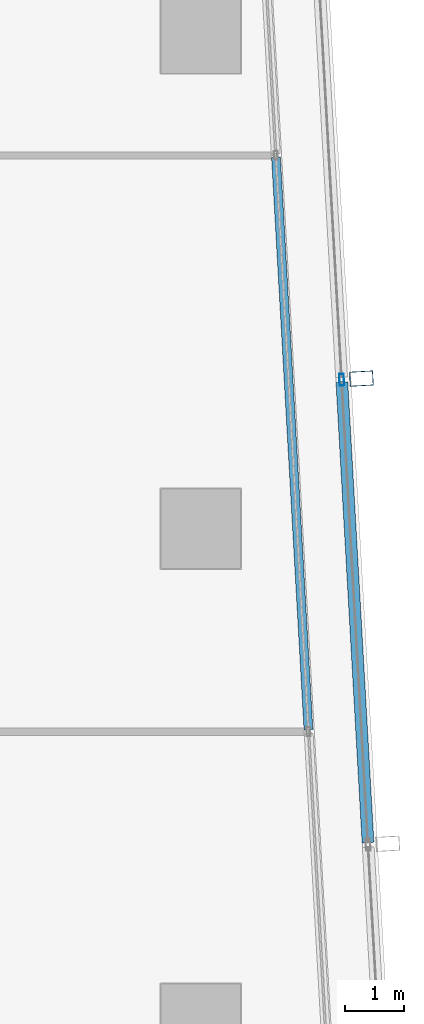
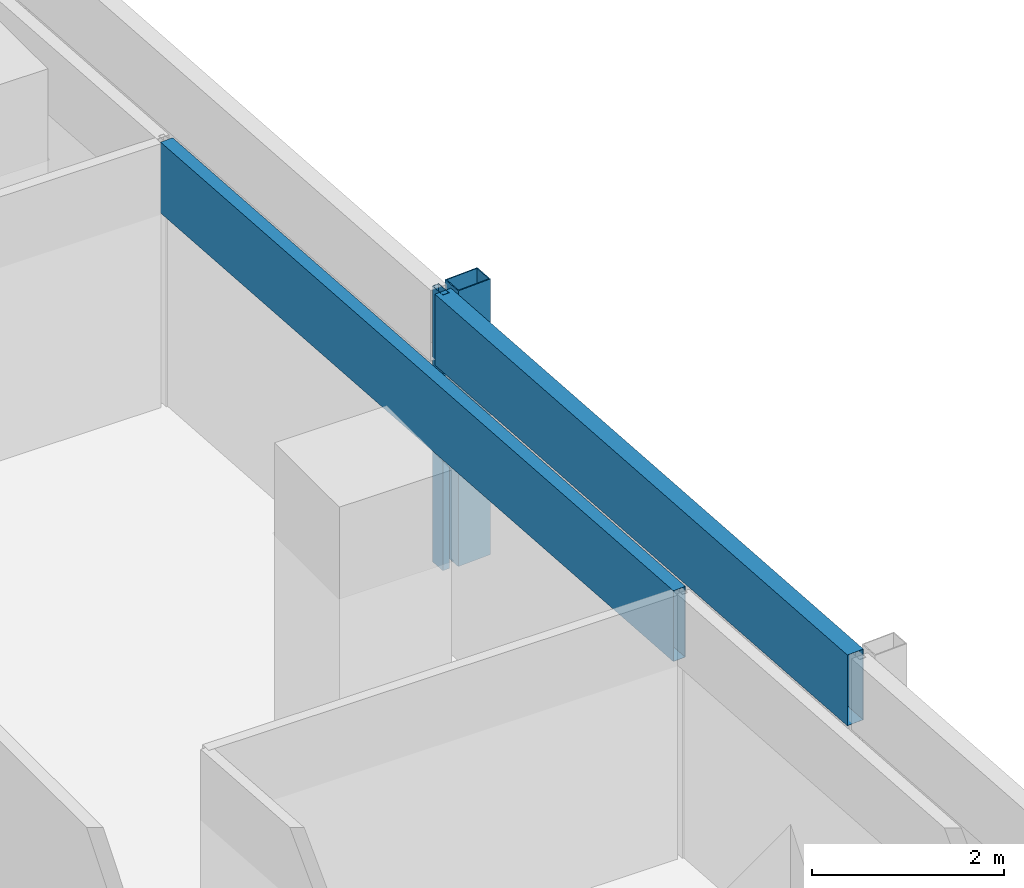
# One storey, part 15 of 40: 4 members, 2 elements without a shape of their own.
"""IFC4 building model written with IfcOpenShell, lengths in metres."""

from ifc_helpers import new_model, si_unit, direction, frame, origin, origin_2d, place, context, subcontext, project, spatial, hollow_rectangle, extrude, material, material_profile, profile_set, type_object, element, aggregate, save


model = new_model("IFC4")

# Units and contexts
model_context = context("Model", 3, precision=1e-05, world=origin(), true_north=direction((0.0, 1.0)))
body_context = subcontext(model_context, "Body", "Model", "MODEL_VIEW")
ifc_project = project(units=[si_unit("LENGTHUNIT", "METRE"), si_unit("AREAUNIT", "SQUARE_METRE"), si_unit("VOLUMEUNIT", "CUBIC_METRE"), si_unit("PLANEANGLEUNIT", "RADIAN"), si_unit("MASSUNIT", "GRAM", prefix="KILO")], contexts=[model_context])

# Site, building, storey
site_placement = place(None, origin())
site = spatial("IfcSite", under=ifc_project, at=site_placement, CompositionType="ELEMENT")
building_placement = place(site_placement, origin())
building = spatial("IfcBuilding", under=site, at=building_placement, Name="Rekha Terrace Tower", CompositionType="ELEMENT")
storey_placement = place(building_placement, frame((0.0, 0.0, 213.949951171875)))
storey = spatial("IfcBuildingStorey", under=building, at=storey_placement, Name="L54", CompositionType="ELEMENT", Elevation=213.949951171875)

# Curtain wall, member
ifc_material_1 = material(Name="Aluminium framing", Category="aluminium")
curtain_wall_type_1 = type_object("IfcCurtainWallType", Name="CW2 double skin outer glazing", PredefinedType="USERDEFINED", material=ifc_material_1)
curtain_wall_1_placement = place(storey_placement, origin())
curtain_wall_1 = element("IfcCurtainWall", 1, at=curtain_wall_1_placement, inside=storey, type_object=curtain_wall_type_1, Name="CW2 double skin outer glazing", ObjectType="DOUBLE SKIN OUTER GLAZING", PredefinedType="USERDEFINED")
ifc_material_2 = material(Name="Steel S355 with fluorocarbon finish", Category="steel")
ifc_material_profile_1 = material_profile(ifc_material_2, hollow_rectangle(XDim=0.25, YDim=0.39990234375, WallThickness=0.012451171875, at=origin_2d()), Name="RHS400x250x12.5")
ifc_profile_set_1 = profile_set([ifc_material_profile_1], Name="Steel S355 with fluorocarbon finish")
member_type_1 = type_object("IfcMemberType", Name="BL1 facade blade RHS 400 x 250", PredefinedType="USERDEFINED", material=ifc_profile_set_1)
member_1_placement = place(storey_placement, frame((61.528076171875, 44.546630859375, 0.0), z_axis=(0.0, 0.0, 1.0), x_axis=(-0.056673619809, 0.998392758797, 0.0)))
member_1 = element("IfcMember", 2, at=member_1_placement, type_object=member_type_1, Name="Facade blade", ObjectType="FACADE BLADE", PredefinedType="USERDEFINED", context=body_context, shape_type="SweptSolid", body=[
    extrude(hollow_rectangle(XDim=0.25, YDim=0.39990234375, WallThickness=0.012451171875, at=origin_2d()), origin(), (0.0, 0.0, 1.0), 3.5),
])

curtain_wall_type_2 = type_object("IfcCurtainWallType", Name="CW1 double skin inner glazing", PredefinedType="USERDEFINED", material=ifc_material_1)
curtain_wall_2_placement = place(storey_placement, origin())
curtain_wall_2 = element("IfcCurtainWall", 3, at=curtain_wall_2_placement, inside=storey, type_object=curtain_wall_type_2, Name="CW1 double skin inner glazing", ObjectType="DOUBLE SKIN INNER GLAZING", PredefinedType="USERDEFINED")
ifc_material_3 = material(Name="Insulated aluminium spandrel box", Category="aluminium")
ifc_material_profile_2 = material_profile(ifc_material_3, hollow_rectangle(XDim=0.14990234375, YDim=0.89990234375, WallThickness=0.0029296875, at=origin_2d()), Name="AL SPANDREL BOX 150x900")
ifc_profile_set_2 = profile_set([ifc_material_profile_2], Name="Insulated aluminium spandrel box")
member_type_2 = type_object("IfcMemberType", Name="CW1 spandrel transom 150 x 900", PredefinedType="USERDEFINED", material=ifc_profile_set_2)
member_2_placement = place(storey_placement, frame((60.629150390625, 38.588134765625, 3.050048828125), z_axis=(-0.056650211304, 0.998394087302, 0.0), x_axis=(-0.998394087302, -0.056650211304, 0.0)))
member_2 = element("IfcMember", 4, at=member_2_placement, type_object=member_type_2, Name="CW1 spandrel transom 2", ObjectType="TRANSOM", PredefinedType="USERDEFINED", context=body_context, shape_type="SweptSolid", body=[
    extrude(hollow_rectangle(XDim=0.14990234375, YDim=0.89990234375, WallThickness=0.0029296875, at=origin_2d()), origin(), (0.0, 0.0, 1.0), 9.726806640625),
])
aggregate(curtain_wall_2, [member_2])

# Member
ifc_material_4 = material(Name="Aluminium mullion section", Category="aluminium")
ifc_material_profile_3 = material_profile(ifc_material_4, hollow_rectangle(XDim=0.080078125, YDim=0.199951171875, WallThickness=0.00390625, at=origin_2d()), Name="AL RHS 80x200")
ifc_profile_set_3 = profile_set([ifc_material_profile_3], Name="Aluminium mullion section")
member_type_3 = type_object("IfcMemberType", Name="CW2 mullion RHS 80 x 200", PredefinedType="MULLION", material=ifc_profile_set_3)
member_3_placement = place(storey_placement, frame((61.193603515625, 44.527587890625, 0.0), z_axis=(0.0, 0.0, 1.0), x_axis=(-0.998392782919, -0.05667319486, 0.0)))
member_3 = element("IfcMember", 5, at=member_3_placement, type_object=member_type_3, Name="CW2 mullion 3", PredefinedType="MULLION", context=body_context, shape_type="SweptSolid", body=[
    extrude(hollow_rectangle(XDim=0.080078125, YDim=0.199951171875, WallThickness=0.00390625, at=origin_2d()), origin(), (0.0, 0.0, 1.0), 3.5),
])

ifc_material_profile_4 = material_profile(ifc_material_3, hollow_rectangle(XDim=0.199951171875, YDim=0.89990234375, WallThickness=0.0029296875, at=origin_2d()), Name="AL SPANDREL BOX 200x900")
ifc_profile_set_4 = profile_set([ifc_material_profile_4], Name="Insulated aluminium spandrel box")
member_type_4 = type_object("IfcMemberType", Name="CW2 spandrel transom 200 x 900", PredefinedType="USERDEFINED", material=ifc_profile_set_4)
member_4_placement = place(storey_placement, frame((61.63916015625, 36.6767578125, 3.050048828125), z_axis=(-0.056669428082, 0.998392996731, 0.0), x_axis=(-0.998392996731, -0.056669428082, 0.0)))
member_4 = element("IfcMember", 6, at=member_4_placement, type_object=member_type_4, Name="CW2 spandrel transom 2", ObjectType="TRANSOM", PredefinedType="USERDEFINED", context=body_context, shape_type="SweptSolid", body=[
    extrude(hollow_rectangle(XDim=0.199951171875, YDim=0.89990234375, WallThickness=0.0029296875, at=origin_2d()), origin(), (0.0, 0.0, 1.0), 7.823486328125),
])

aggregate(curtain_wall_1, [member_3, member_4, member_1])

save(model, "model.ifc")
